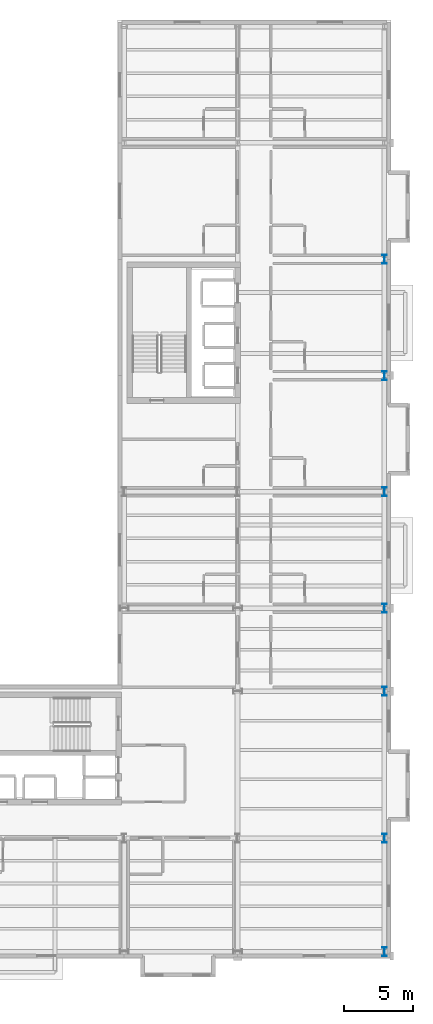
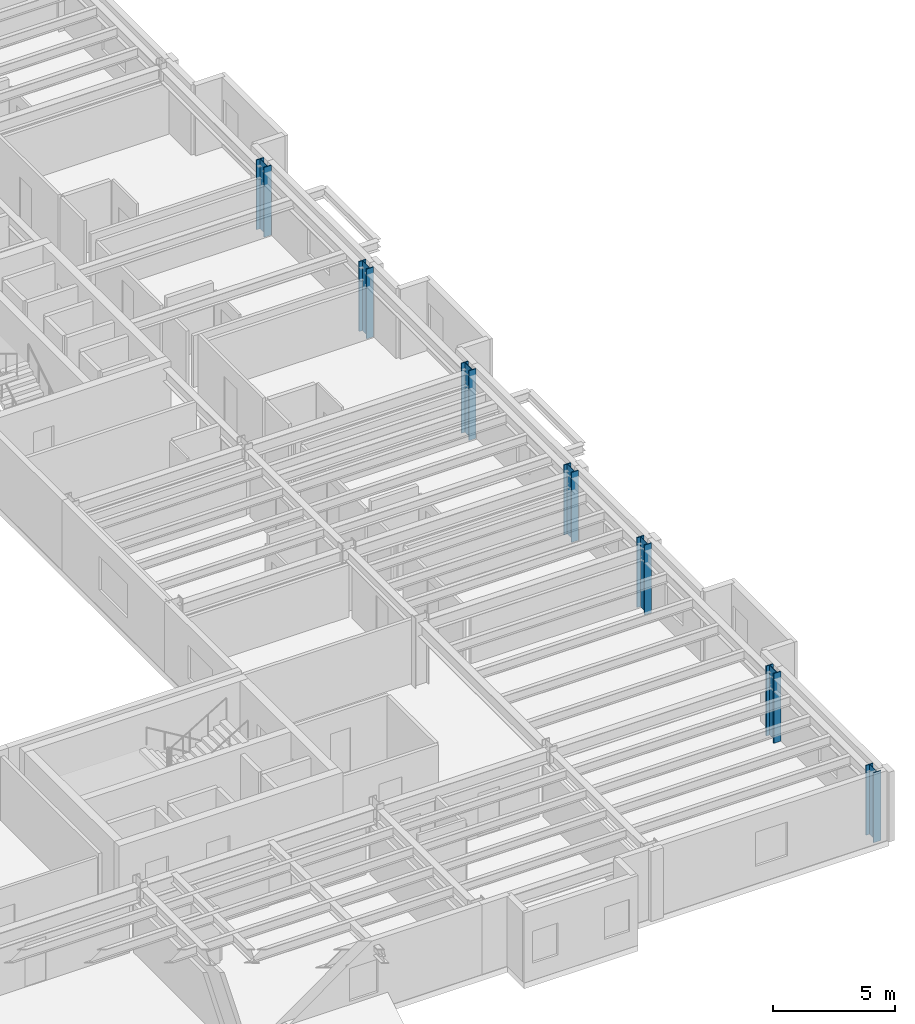
# One storey, part 4 of 23: 7 columns.
"""IFC4 building model written with IfcOpenShell, lengths in metres."""

from ifc_helpers import new_model, si_unit, direction, frame, origin, origin_2d, place, context, subcontext, project, spatial, i_section, extrude, material, material_profile, profile_set, type_object, element, save


model = new_model("IFC4")

# Units and contexts
model_context = context("Model", 3, precision=1e-05, world=origin(), true_north=direction((0.0, 1.0)))
body_context = subcontext(model_context, "Body", "Model", "MODEL_VIEW")
ifc_project = project(units=[si_unit("LENGTHUNIT", "METRE"), si_unit("AREAUNIT", "SQUARE_METRE"), si_unit("VOLUMEUNIT", "CUBIC_METRE"), si_unit("PLANEANGLEUNIT", "RADIAN"), si_unit("MASSUNIT", "GRAM", prefix="KILO")], contexts=[model_context])

# Site, building, storey
site_placement = place(None, origin())
site = spatial("IfcSite", under=ifc_project, at=site_placement, CompositionType="ELEMENT")
building_placement = place(site_placement, origin())
building = spatial("IfcBuilding", under=site, at=building_placement, Name="Sollismere Congress Hotel", CompositionType="ELEMENT")
storey_placement = place(building_placement, frame((0.0, 0.0, 30.60009765625)))
storey = spatial("IfcBuildingStorey", under=building, at=storey_placement, Name="L07", CompositionType="ELEMENT", Elevation=30.60009765625)

# Columns
ifc_material = material(Name="Steel ASTM A992 Grade 50", Category="steel")
ifc_material_profile = material_profile(ifc_material, i_section(OverallWidth=0.3330078125, OverallDepth=0.659912109375, WebThickness=0.0244140625, FlangeThickness=0.0439453125, at=origin_2d()), Name="W24X229")
ifc_profile_set = profile_set([ifc_material_profile], Name="Steel ASTM A992 Grade 50")
column_type = type_object("IfcColumnType", Name="COL-W24", PredefinedType="COLUMN", material=ifc_profile_set)
for number, where, z_axis, x_axis, name in (
    (1, (166.0, 0.0, 0.0), (0.0, 0.0, 1.0), (1.0, 0.0, 0.0), "Column CL-L07-951"),
    (2, (166.0, 8.199951171875, 0.0), (0.0, 0.0, 1.0), (1.0, 0.0, 0.0), "Column CL-L07-964"),
    (3, (166.0, 18.800048828125, 0.0), (0.0, 0.0, 1.0), (1.0, 0.0, 0.0), "Column CL-L07-977"),
    (4, (166.0, 24.800048828125, 0.0), (0.0, 0.0, 1.0), (1.0, 0.0, 0.0), "Column CL-L07-990"),
    (5, (166.0, 33.199951171875, 0.0), (0.0, 0.0, 1.0), (1.0, 0.0, 0.0), "Column CL-L07-1003"),
    (6, (166.0, 41.60009765625, 0.0), (0.0, 0.0, 1.0), (1.0, 0.0, 0.0), "Column CL-L07-1016"),
    (7, (166.0, 50.0, 0.0), (0.0, 0.0, 1.0), (1.0, 0.0, 0.0), "Column CL-L07-1029"),
):
    element("IfcColumn", number, at=place(storey_placement, frame(where, z_axis=z_axis, x_axis=x_axis)), inside=storey, type_object=column_type, Name=name, PredefinedType="COLUMN", context=body_context, shape_type="SweptSolid", body=[
        extrude(i_section(OverallWidth=0.3330078125, OverallDepth=0.659912109375, WebThickness=0.0244140625, FlangeThickness=0.0439453125, at=origin_2d()), origin(), (0.0, 0.0, 1.0), 3.5),
    ])

save(model, "model.ifc")
